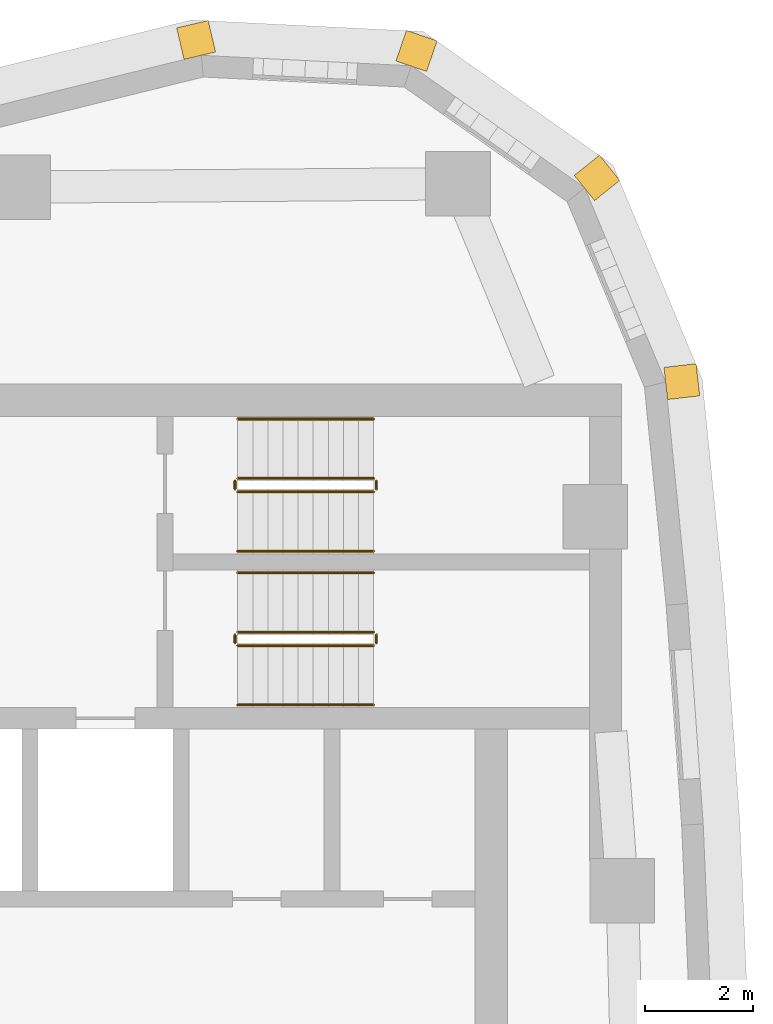
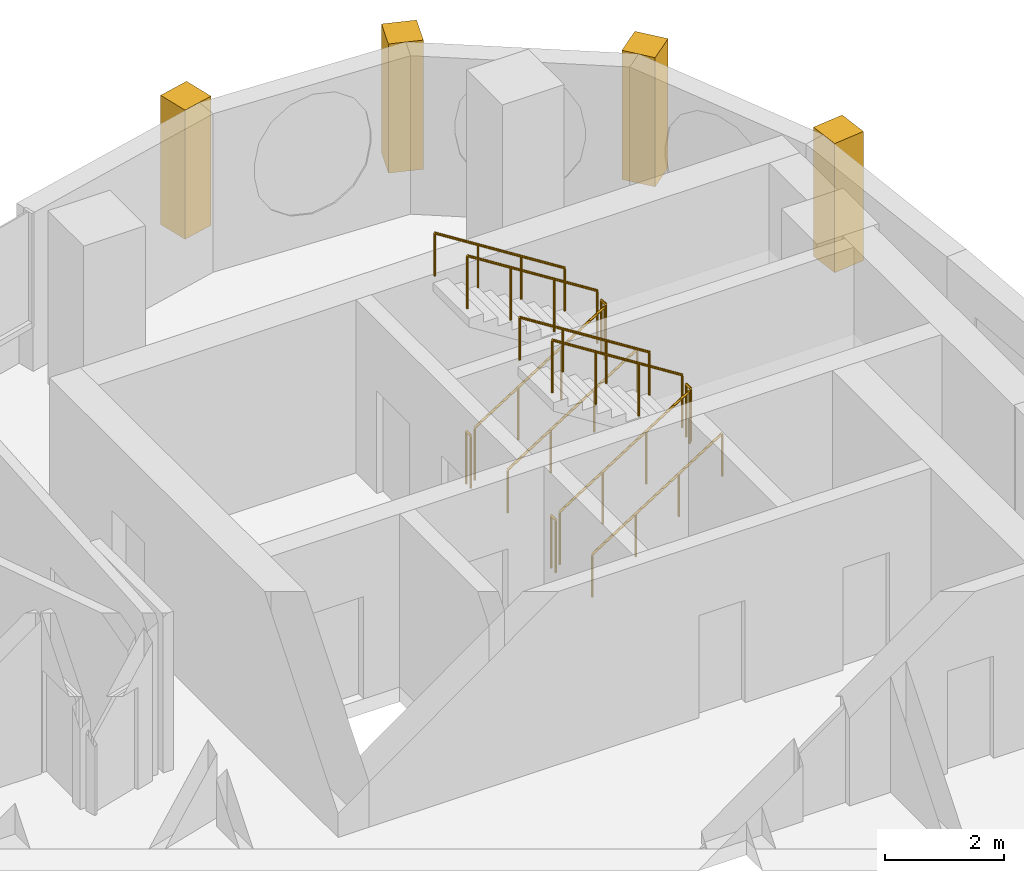
# One storey, part 16 of 16: 12 railings, 4 coverings.
"""IFC4 building model written with IfcOpenShell, lengths in metres."""

from ifc_helpers import new_model, si_unit, direction, frame, frame_2d, origin, origin_2d, place, context, subcontext, project, spatial, rectangle, circle, extrude, material, layer, layer_set, type_object, element, save


model = new_model("IFC4")

# Units and contexts
model_context = context("Model", 3, precision=1e-05, world=origin(), true_north=direction((0.0, 1.0)))
body_context = subcontext(model_context, "Body", "Model", "MODEL_VIEW")
ifc_project = project(units=[si_unit("LENGTHUNIT", "METRE"), si_unit("AREAUNIT", "SQUARE_METRE"), si_unit("VOLUMEUNIT", "CUBIC_METRE"), si_unit("PLANEANGLEUNIT", "RADIAN"), si_unit("MASSUNIT", "GRAM", prefix="KILO")], contexts=[model_context])

# Site, building, storey
site_placement = place(None, origin())
site = spatial("IfcSite", under=ifc_project, at=site_placement, CompositionType="ELEMENT")
building_placement = place(site_placement, origin())
building = spatial("IfcBuilding", under=site, at=building_placement, Name="Ostrand Prow Hotel Tower", CompositionType="ELEMENT")
storey_placement = place(building_placement, frame((0.0, 0.0, 245.64990234375)))
storey = spatial("IfcBuildingStorey", under=building, at=storey_placement, Name="L62", CompositionType="ELEMENT", Elevation=245.64990234375)

# Coverings
ifc_material_1 = material(Name="Limestone cladding", Category="masonry")
ifc_layer = layer(ifc_material_1, 0.60009765625)
ifc_layer_set = layer_set([ifc_layer], Name="Limestone cladding")
covering_type = type_object("IfcCoveringType", Name="Precast stone prow rib 600x600", PredefinedType="CLADDING", material=ifc_layer_set)
for number, where, z_axis, x_axis, name in (
    (1, (65.13623046875, 16.35986328125, 0.60009765625), (0.0, 0.0, 1.0), (0.993628058569, 0.112708833834, 0.0), "Stone corner rib 13a"),
    (2, (63.62744140625, 19.98291015625, 0.60009765625), (0.0, 0.0, 1.0), (0.779994736518, 0.625786074473, 0.0), "Stone corner rib 14a"),
    (3, (60.417236328125, 22.240966796875, 0.60009765625), (0.0, 0.0, 1.0), (0.325489086777, 0.945545797087, 0.0), "Stone corner rib 15a"),
    (4, (56.49755859375, 22.436279296875, 0.60009765625), (0.0, 0.0, 1.0), (-0.229878322855, 0.973219377469, 0.0), "Stone corner rib 15b"),
):
    element("IfcCovering", number, at=place(storey_placement, frame(where, z_axis=z_axis, x_axis=x_axis)), inside=storey, type_object=covering_type, Name=name, PredefinedType="CLADDING", context=body_context, shape_type="SweptSolid", body=[
        extrude(rectangle(XDim=0.60009765625, YDim=0.60009765625, at=frame_2d((0.300048828125, 0.0))), origin(), (0.0, 0.0, 1.0), 2.64990234375),
    ])

# Railings
ifc_material_2 = material(Name="Painted steel", Category="steel")
railing_type_1 = type_object("IfcRailingType", Name="Stair guard 1100", PredefinedType="GUARDRAIL", material=ifc_material_2)
railing_1_placement = place(storey_placement, frame((57.199951171875, 11.5, 0.177490234375)))
element("IfcRailing", 5, at=railing_1_placement, inside=storey, type_object=railing_type_1, Name="L62 ST1C stair guard 1", PredefinedType="GUARDRAIL", context=body_context, shape_type="SweptSolid", body=[
    extrude(circle(Radius=0.02392578125, at=origin_2d()), frame((0.0, 0.0, 1.076171875), z_axis=(0.84456994832, 0.0, 0.535445237532), x_axis=(0.0, 1.0, 0.0)), (0.0, 0.0, 1.0), 2.98388671875),
    extrude(circle(Radius=0.02099609375, at=origin_2d()), origin(), (0.0, 0.0, 1.0), 1.052001953125),
    extrude(circle(Radius=0.02099609375, at=origin_2d()), frame((0.840087890625, 0.0, 0.532470703125)), (0.0, 0.0, 1.0), 1.052001953125),
    extrude(circle(Radius=0.02099609375, at=origin_2d()), frame((1.679931640625, 0.0, 1.065185546875)), (0.0, 0.0, 1.0), 1.052001953125),
    extrude(circle(Radius=0.02099609375, at=origin_2d()), frame((2.52001953125, 0.0, 1.59765625)), (0.0, 0.0, 1.0), 1.052001953125),
])
railing_2_placement = place(storey_placement, frame((59.77001953125, 11.550048828125, 1.775146484375)))
element("IfcRailing", 6, at=railing_2_placement, inside=storey, type_object=railing_type_1, Name="L62 ST1C stair guard 2", PredefinedType="GUARDRAIL", context=body_context, shape_type="SweptSolid", body=[
    extrude(circle(Radius=0.02392578125, at=origin_2d()), frame((0.0, 0.0, 1.076171875), z_axis=(0.0, 1.0, 0.0), x_axis=(-1.0, 0.0, 0.0)), (0.0, 0.0, 1.0), 0.14990234375),
    extrude(circle(Radius=0.02099609375, at=origin_2d()), origin(), (0.0, 0.0, 1.0), 1.052001953125),
    extrude(circle(Radius=0.02099609375, at=origin_2d()), frame((0.0, 0.14990234375, 0.0)), (0.0, 0.0, 1.0), 1.052001953125),
])
railing_3_placement = place(storey_placement, frame((59.719970703125, 11.75, 1.95263671875)))
element("IfcRailing", 7, at=railing_3_placement, inside=storey, type_object=railing_type_1, Name="L62 ST1C stair guard 3", PredefinedType="GUARDRAIL", context=body_context, shape_type="SweptSolid", body=[
    extrude(circle(Radius=0.02392578125, at=origin_2d()), frame((0.0, 0.0, 1.076171875), z_axis=(-0.84460694969, 0.0, 0.535386869969), x_axis=(0.0, -1.0, 0.0)), (0.0, 0.0, 1.0), 2.983642578125),
    extrude(circle(Radius=0.02099609375, at=origin_2d()), origin(), (0.0, 0.0, 1.0), 1.052001953125),
    extrude(circle(Radius=0.02099609375, at=origin_2d()), frame((-0.840087890625, 0.0, 0.532470703125)), (0.0, 0.0, 1.0), 1.052001953125),
    extrude(circle(Radius=0.02099609375, at=origin_2d()), frame((-1.679931640625, 0.0, 1.06494140625)), (0.0, 0.0, 1.0), 1.052001953125),
    extrude(circle(Radius=0.02099609375, at=origin_2d()), frame((-2.52001953125, 0.0, 1.597412109375)), (0.0, 0.0, 1.0), 1.052001953125),
])
railing_4_placement = place(storey_placement, frame((57.14990234375, 11.550048828125, 0.0)))
element("IfcRailing", 8, at=railing_4_placement, inside=storey, type_object=railing_type_1, Name="L62 ST1C stair guard 4", PredefinedType="GUARDRAIL", context=body_context, shape_type="SweptSolid", body=[
    extrude(circle(Radius=0.02392578125, at=origin_2d()), frame((0.0, 0.0, 1.076171875), z_axis=(0.0, 1.0, 0.0), x_axis=(-1.0, 0.0, 0.0)), (0.0, 0.0, 1.0), 0.14990234375),
    extrude(circle(Radius=0.02099609375, at=origin_2d()), origin(), (0.0, 0.0, 1.0), 1.052001953125),
    extrude(circle(Radius=0.02099609375, at=origin_2d()), frame((0.0, 0.14990234375, 0.0)), (0.0, 0.0, 1.0), 1.052001953125),
])
railing_5_placement = place(storey_placement, frame((57.199951171875, 14.35009765625, 0.177490234375)))
element("IfcRailing", 9, at=railing_5_placement, inside=storey, type_object=railing_type_1, Name="L62 ST3C stair guard 1", PredefinedType="GUARDRAIL", context=body_context, shape_type="SweptSolid", body=[
    extrude(circle(Radius=0.02392578125, at=origin_2d()), frame((0.0, 0.0, 1.076171875), z_axis=(0.84456994832, 0.0, 0.535445237532), x_axis=(0.0, 1.0, 0.0)), (0.0, 0.0, 1.0), 2.98388671875),
    extrude(circle(Radius=0.02099609375, at=origin_2d()), origin(), (0.0, 0.0, 1.0), 1.052001953125),
    extrude(circle(Radius=0.02099609375, at=origin_2d()), frame((0.840087890625, 0.0, 0.532470703125)), (0.0, 0.0, 1.0), 1.052001953125),
    extrude(circle(Radius=0.02099609375, at=origin_2d()), frame((1.679931640625, 0.0, 1.065185546875)), (0.0, 0.0, 1.0), 1.052001953125),
    extrude(circle(Radius=0.02099609375, at=origin_2d()), frame((2.52001953125, 0.0, 1.59765625)), (0.0, 0.0, 1.0), 1.052001953125),
])
railing_6_placement = place(storey_placement, frame((59.77001953125, 14.39990234375, 1.775146484375)))
element("IfcRailing", 10, at=railing_6_placement, inside=storey, type_object=railing_type_1, Name="L62 ST3C stair guard 2", PredefinedType="GUARDRAIL", context=body_context, shape_type="SweptSolid", body=[
    extrude(circle(Radius=0.02392578125, at=origin_2d()), frame((0.0, 0.0, 1.076171875), z_axis=(0.0, 1.0, 0.0), x_axis=(-1.0, 0.0, 0.0)), (0.0, 0.0, 1.0), 0.150146484375),
    extrude(circle(Radius=0.02099609375, at=origin_2d()), origin(), (0.0, 0.0, 1.0), 1.052001953125),
    extrude(circle(Radius=0.02099609375, at=origin_2d()), frame((0.0, 0.150146484375, 0.0)), (0.0, 0.0, 1.0), 1.052001953125),
])
railing_7_placement = place(storey_placement, frame((59.719970703125, 14.60009765625, 1.95263671875)))
element("IfcRailing", 11, at=railing_7_placement, inside=storey, type_object=railing_type_1, Name="L62 ST3C stair guard 3", PredefinedType="GUARDRAIL", context=body_context, shape_type="SweptSolid", body=[
    extrude(circle(Radius=0.02392578125, at=origin_2d()), frame((0.0, 0.0, 1.076171875), z_axis=(-0.84460694969, 0.0, 0.535386869969), x_axis=(0.0, -1.0, 0.0)), (0.0, 0.0, 1.0), 2.983642578125),
    extrude(circle(Radius=0.02099609375, at=origin_2d()), origin(), (0.0, 0.0, 1.0), 1.052001953125),
    extrude(circle(Radius=0.02099609375, at=origin_2d()), frame((-0.840087890625, 0.0, 0.532470703125)), (0.0, 0.0, 1.0), 1.052001953125),
    extrude(circle(Radius=0.02099609375, at=origin_2d()), frame((-1.679931640625, 0.0, 1.06494140625)), (0.0, 0.0, 1.0), 1.052001953125),
    extrude(circle(Radius=0.02099609375, at=origin_2d()), frame((-2.52001953125, 0.0, 1.597412109375)), (0.0, 0.0, 1.0), 1.052001953125),
])
railing_8_placement = place(storey_placement, frame((57.14990234375, 14.39990234375, 0.0)))
element("IfcRailing", 12, at=railing_8_placement, inside=storey, type_object=railing_type_1, Name="L62 ST3C stair guard 4", PredefinedType="GUARDRAIL", context=body_context, shape_type="SweptSolid", body=[
    extrude(circle(Radius=0.02392578125, at=origin_2d()), frame((0.0, 0.0, 1.076171875), z_axis=(0.0, 1.0, 0.0), x_axis=(-1.0, 0.0, 0.0)), (0.0, 0.0, 1.0), 0.150146484375),
    extrude(circle(Radius=0.02099609375, at=origin_2d()), origin(), (0.0, 0.0, 1.0), 1.052001953125),
    extrude(circle(Radius=0.02099609375, at=origin_2d()), frame((0.0, 0.150146484375, 0.0)), (0.0, 0.0, 1.0), 1.052001953125),
])
ifc_material_3 = material(Name="Stainless steel", Category="steel")
railing_type_2 = type_object("IfcRailingType", Name="Stair handrail 900", PredefinedType="HANDRAIL", material=ifc_material_3)
railing_9_placement = place(storey_placement, frame((57.199951171875, 10.39990234375, 0.177490234375)))
element("IfcRailing", 13, at=railing_9_placement, inside=storey, type_object=railing_type_2, Name="L62 ST1C stair handrail 1", PredefinedType="HANDRAIL", context=body_context, shape_type="SweptSolid", body=[
    extrude(circle(Radius=0.02392578125, at=origin_2d()), frame((0.0, 0.0, 0.8759765625), z_axis=(0.84456994832, 0.0, 0.535445237532), x_axis=(0.0, 1.0, 0.0)), (0.0, 0.0, 1.0), 2.98388671875),
    extrude(circle(Radius=0.02099609375, at=origin_2d()), origin(), (0.0, 0.0, 1.0), 0.851806640625),
    extrude(circle(Radius=0.02099609375, at=origin_2d()), frame((0.840087890625, 0.0, 0.532470703125)), (0.0, 0.0, 1.0), 0.851806640625),
    extrude(circle(Radius=0.02099609375, at=origin_2d()), frame((1.679931640625, 0.0, 1.065185546875)), (0.0, 0.0, 1.0), 0.851806640625),
    extrude(circle(Radius=0.02099609375, at=origin_2d()), frame((2.52001953125, 0.0, 1.59765625)), (0.0, 0.0, 1.0), 0.851806640625),
])
railing_10_placement = place(storey_placement, frame((59.719970703125, 12.85009765625, 1.95263671875)))
element("IfcRailing", 14, at=railing_10_placement, inside=storey, type_object=railing_type_2, Name="L62 ST1C stair handrail 2", PredefinedType="HANDRAIL", context=body_context, shape_type="SweptSolid", body=[
    extrude(circle(Radius=0.02392578125, at=origin_2d()), frame((0.0, 0.0, 0.8759765625), z_axis=(-0.84460694969, 0.0, 0.535386869969), x_axis=(0.0, -1.0, 0.0)), (0.0, 0.0, 1.0), 2.983642578125),
    extrude(circle(Radius=0.02099609375, at=origin_2d()), origin(), (0.0, 0.0, 1.0), 0.851806640625),
    extrude(circle(Radius=0.02099609375, at=origin_2d()), frame((-0.840087890625, 0.0, 0.532470703125)), (0.0, 0.0, 1.0), 0.851806640625),
    extrude(circle(Radius=0.02099609375, at=origin_2d()), frame((-1.679931640625, 0.0, 1.06494140625)), (0.0, 0.0, 1.0), 0.851806640625),
    extrude(circle(Radius=0.02099609375, at=origin_2d()), frame((-2.52001953125, 0.0, 1.597412109375)), (0.0, 0.0, 1.0), 0.851806640625),
])
railing_11_placement = place(storey_placement, frame((57.199951171875, 13.25, 0.177490234375)))
element("IfcRailing", 15, at=railing_11_placement, inside=storey, type_object=railing_type_2, Name="L62 ST3C stair handrail 1", PredefinedType="HANDRAIL", context=body_context, shape_type="SweptSolid", body=[
    extrude(circle(Radius=0.02392578125, at=origin_2d()), frame((0.0, 0.0, 0.8759765625), z_axis=(0.84456994832, 0.0, 0.535445237532), x_axis=(0.0, 1.0, 0.0)), (0.0, 0.0, 1.0), 2.98388671875),
    extrude(circle(Radius=0.02099609375, at=origin_2d()), origin(), (0.0, 0.0, 1.0), 0.851806640625),
    extrude(circle(Radius=0.02099609375, at=origin_2d()), frame((0.840087890625, 0.0, 0.532470703125)), (0.0, 0.0, 1.0), 0.851806640625),
    extrude(circle(Radius=0.02099609375, at=origin_2d()), frame((1.679931640625, 0.0, 1.065185546875)), (0.0, 0.0, 1.0), 0.851806640625),
    extrude(circle(Radius=0.02099609375, at=origin_2d()), frame((2.52001953125, 0.0, 1.59765625)), (0.0, 0.0, 1.0), 0.851806640625),
])
railing_12_placement = place(storey_placement, frame((59.719970703125, 15.699951171875, 1.95263671875)))
element("IfcRailing", 16, at=railing_12_placement, inside=storey, type_object=railing_type_2, Name="L62 ST3C stair handrail 2", PredefinedType="HANDRAIL", context=body_context, shape_type="SweptSolid", body=[
    extrude(circle(Radius=0.02392578125, at=origin_2d()), frame((0.0, 0.0, 0.8759765625), z_axis=(-0.84460694969, 0.0, 0.535386869969), x_axis=(0.0, -1.0, 0.0)), (0.0, 0.0, 1.0), 2.983642578125),
    extrude(circle(Radius=0.02099609375, at=origin_2d()), origin(), (0.0, 0.0, 1.0), 0.851806640625),
    extrude(circle(Radius=0.02099609375, at=origin_2d()), frame((-0.840087890625, 0.0, 0.532470703125)), (0.0, 0.0, 1.0), 0.851806640625),
    extrude(circle(Radius=0.02099609375, at=origin_2d()), frame((-1.679931640625, 0.0, 1.06494140625)), (0.0, 0.0, 1.0), 0.851806640625),
    extrude(circle(Radius=0.02099609375, at=origin_2d()), frame((-2.52001953125, 0.0, 1.597412109375)), (0.0, 0.0, 1.0), 0.851806640625),
])

save(model, "model.ifc")
